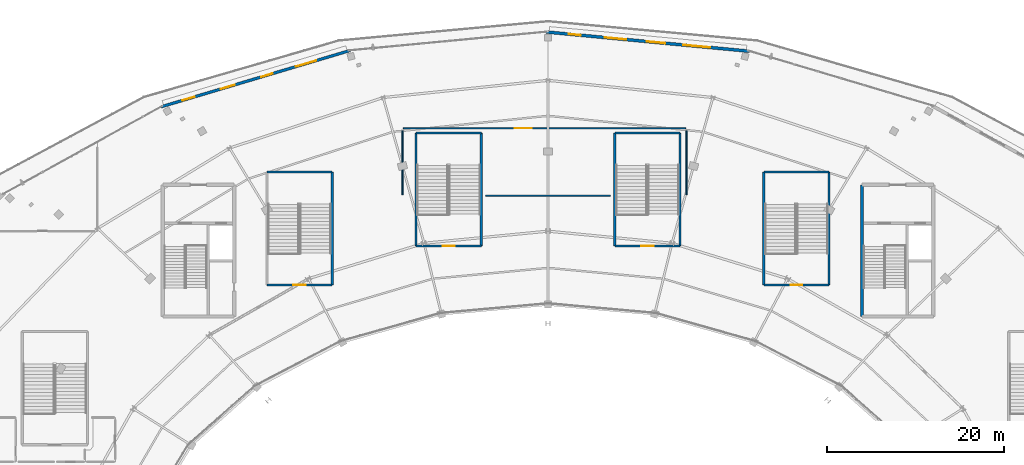
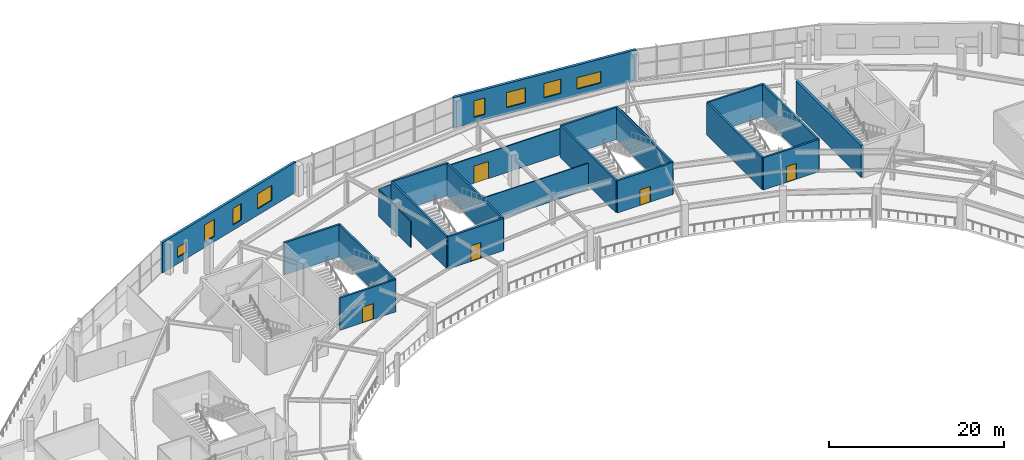
# One storey, part 79 of 107: 22 walls, 8 windows, 5 doors, 13 openings.
"""IFC4 building model written with IfcOpenShell, lengths in metres."""

from ifc_helpers import new_model, si_unit, direction, frame, frame_2d, origin, place, context, subcontext, project, spatial, rectangle, extrude, material, layer, layer_set, type_object, element, fill, save


model = new_model("IFC4")

# Units and contexts
model_context = context("Model", 3, precision=1e-05, world=origin(), true_north=direction((0.0, 1.0)))
body_context = subcontext(model_context, "Body", "Model", "MODEL_VIEW")
ifc_project = project(units=[si_unit("LENGTHUNIT", "METRE"), si_unit("AREAUNIT", "SQUARE_METRE"), si_unit("VOLUMEUNIT", "CUBIC_METRE"), si_unit("PLANEANGLEUNIT", "RADIAN"), si_unit("MASSUNIT", "GRAM", prefix="KILO")], contexts=[model_context])

# Site, building, storey
site_placement = place(None, origin())
site = spatial("IfcSite", under=ifc_project, at=site_placement, CompositionType="ELEMENT")
building_placement = place(site_placement, origin())
building = spatial("IfcBuilding", under=site, at=building_placement, Name="Kalgoora Escarpment Arena", CompositionType="ELEMENT")
storey_placement = place(building_placement, frame((0.0, 0.0, 5.39990234375)))
storey = spatial("IfcBuildingStorey", under=building, at=storey_placement, Name="L01", CompositionType="ELEMENT", Elevation=5.39990234375)

# Wall
ifc_material_1 = material(Name="Concrete N50 (fc' 50 MPa)", Category="concrete")
ifc_layer_1 = layer(ifc_material_1, 0.35009765625)
ifc_layer_set_1 = layer_set([ifc_layer_1], Name="WAL-CORE-350")
wall_type_1 = type_object("IfcWallType", Name="WAL-CORE-350", PredefinedType="SHEAR", material=ifc_layer_set_1)
wall_1_placement = place(storey_placement, frame((127.77490234375, 94.375, 0.0), z_axis=(0.0, 0.0, 1.0), x_axis=(0.0, 1.0, 0.0)))
element("IfcWall", 1, at=wall_1_placement, inside=storey, type_object=wall_type_1, Name="Core C4 L01 west shear wall", PredefinedType="SHEAR", context=body_context, shape_type="SweptSolid", body=[
    extrude(rectangle(XDim=14.85009765625, YDim=0.35009765625, at=frame_2d((7.425048828125, 0.0))), origin(), (0.0, 0.0, 1.0), 4.5),
])

# Wall, opening, door
ifc_material_2 = material(Name="Hospitality acoustic drywall partition", Category="gypsum")
ifc_layer_2 = layer(ifc_material_2, 0.135009765625)
ifc_layer_set_2 = layer_set([ifc_layer_2], Name="WAL-DIN-135")
wall_type_2 = type_object("IfcWallType", Name="WAL-DIN-135", PredefinedType="PARTITIONING", material=ifc_layer_set_2)
wall_2_placement = place(storey_placement, frame((76.080078125, 115.60009765625, 0.0), z_axis=(0.0, 0.0, 1.0), x_axis=(1.0, 0.0, 0.0)))
wall_2 = element("IfcWall", 2, at=wall_2_placement, inside=storey, type_object=wall_type_2, Name="L01 North Concession Kitchen partition wall", PredefinedType="PARTITIONING", context=body_context, shape_type="SweptSolid", body=[
    extrude(rectangle(XDim=31.83984375, YDim=0.135009765625, at=frame_2d((15.919921875, 0.0))), origin(), (0.0, 0.0, 1.0), 3.662109375),
])
opening_1_placement = place(wall_2_placement, frame((12.5537109375, 0.0, 0.0)))
opening_1 = element("IfcOpeningElement", 3, at=opening_1_placement, cuts=wall_2, Name="Opening FD-I067", PredefinedType="OPENING", context=body_context, shape_type="SweptSolid", body=[
    extrude(rectangle(XDim=1.949951171875, YDim=2.39990234375, at=frame_2d((0.97509765625, 1.199951171875))), frame((0.0, 0.077392578125, 0.0), z_axis=(0.0, -1.0, 0.0), x_axis=(1.0, 0.0, 0.0)), (0.0, 0.0, 1.0), 0.155029296875),
])
ifc_material_3 = material(Name="Glazed champagne-framed hospitality double door")
door_type_1 = type_object("IfcDoorType", Name="DR-CLUB-1950", OperationType="NOTDEFINED", PredefinedType="DOOR", material=ifc_material_3)
door_1_placement = place(opening_1_placement, origin())
door_1 = element("IfcDoor", 4, at=door_1_placement, inside=storey, type_object=door_type_1, Name="North Concession Kitchen entrance door", OperationType="DOUBLE_DOOR_SINGLE_SWING", OverallHeight=2.39990234375, OverallWidth=1.949951171875, PredefinedType="DOOR", context=body_context, shape_type="SweptSolid", body=[
    extrude(rectangle(XDim=1.949951171875, YDim=2.39990234375, at=frame_2d((0.97509765625, 1.199951171875))), frame((0.0, 0.02490234375, 0.0), z_axis=(0.0, -1.0, 0.0), x_axis=(1.0, 0.0, 0.0)), (0.0, 0.0, 1.0), 0.050048828125),
])
fill(opening_1, door_1)

# Walls
wall_3_placement = place(storey_placement, frame((108.0, 115.315185546875, 0.0), z_axis=(0.0, 0.0, 1.0), x_axis=(0.0, -1.0, 0.0)))
element("IfcWall", 5, at=wall_3_placement, inside=storey, type_object=wall_type_2, Name="L01 North Concession Kitchen partition wall", PredefinedType="PARTITIONING", context=body_context, shape_type="SweptSolid", body=[
    extrude(rectangle(XDim=7.235107421875, YDim=0.135009765625, at=frame_2d((3.61767578125, 0.0))), origin(), (0.0, 0.0, 1.0), 3.662109375),
])
wall_4_placement = place(storey_placement, frame((99.425048828125, 108.0, 0.0), z_axis=(0.0, 0.0, 1.0), x_axis=(-1.0, 0.0, 0.0)))
element("IfcWall", 6, at=wall_4_placement, inside=storey, type_object=wall_type_2, Name="L01 North Concession Kitchen partition wall", PredefinedType="PARTITIONING", context=body_context, shape_type="SweptSolid", body=[
    extrude(rectangle(XDim=14.050048828125, YDim=0.135009765625, at=frame_2d((7.02490234375, 0.0))), origin(), (0.0, 0.0, 1.0), 3.662109375),
])
wall_5_placement = place(storey_placement, frame((76.0, 108.080078125, 0.0), z_axis=(0.0, 0.0, 1.0), x_axis=(0.0, 1.0, 0.0)))
element("IfcWall", 7, at=wall_5_placement, inside=storey, type_object=wall_type_2, Name="L01 North Concession Kitchen partition wall", PredefinedType="PARTITIONING", context=body_context, shape_type="SweptSolid", body=[
    extrude(rectangle(XDim=7.235107421875, YDim=0.135009765625, at=frame_2d((3.61767578125, 0.0))), origin(), (0.0, 0.0, 1.0), 3.672119140625),
])

# Wall, openings, windows
ifc_material_4 = material(Name="Insulated limestone cladding precast wall 40 MPa", Category="masonry")
ifc_layer_3 = layer(ifc_material_4, 0.31494140625)
ifc_layer_set_3 = layer_set([ifc_layer_3], Name="WAL-EXT-315")
wall_type_3 = type_object("IfcWallType", Name="WAL-EXT-315", PredefinedType="SOLIDWALL", material=ifc_layer_set_3)
wall_6_placement = place(storey_placement, frame((48.77001953125, 118.010009765625, 0.0), z_axis=(0.0, 0.0, 1.0), x_axis=(0.958340022304, 0.285629833265, 0.0)))
wall_6 = element("IfcWall", 8, at=wall_6_placement, inside=storey, type_object=wall_type_3, Name="L01 limestone-faced external wall 035", PredefinedType="SOLIDWALL", context=body_context, shape_type="SweptSolid", body=[
    extrude(rectangle(XDim=22.260009765625, YDim=0.31494140625, at=frame_2d((11.1298828125, 0.0))), origin(), (0.0, 0.0, 1.0), 4.25),
])
opening_2_placement = place(wall_6_placement, frame((2.52490234375, 0.0, 0.89990234375)))
opening_2 = element("IfcOpeningElement", 9, at=opening_2_placement, cuts=wall_6, Name="Opening W-20", PredefinedType="OPENING", context=body_context, shape_type="SweptSolid", body=[
    extrude(rectangle(XDim=1.449951171875, YDim=1.39990234375, at=frame_2d((0.72509765625, 0.699951171875))), frame((0.0, 0.16748046875, 0.0), z_axis=(0.0, -1.0, 0.0), x_axis=(1.0, 0.0, 0.0)), (0.0, 0.0, 1.0), 0.3349609375),
])
opening_3_placement = place(wall_6_placement, frame((7.02490234375, 0.0, 0.75)))
opening_3 = element("IfcOpeningElement", 10, at=opening_3_placement, cuts=wall_6, Name="Opening W-02", PredefinedType="OPENING", context=body_context, shape_type="SweptSolid", body=[
    extrude(rectangle(XDim=1.64990234375, YDim=2.39990234375, at=frame_2d((0.824951171875, 1.199951171875))), frame((0.0, 0.16748046875, 0.0), z_axis=(0.0, -1.0, 0.0), x_axis=(1.0, 0.0, 0.0)), (0.0, 0.0, 1.0), 0.3349609375),
])
opening_4_placement = place(wall_6_placement, frame((11.77490234375, 0.0, 0.75)))
opening_4 = element("IfcOpeningElement", 11, at=opening_4_placement, cuts=wall_6, Name="Opening W-04", PredefinedType="OPENING", context=body_context, shape_type="SweptSolid", body=[
    extrude(rectangle(XDim=1.35009765625, YDim=2.300048828125, at=frame_2d((0.675048828125, 1.14990234375))), frame((0.0, 0.16748046875, 0.0), z_axis=(0.0, -1.0, 0.0), x_axis=(1.0, 0.0, 0.0)), (0.0, 0.0, 1.0), 0.3349609375),
])
opening_5_placement = place(wall_6_placement, frame((15.85009765625, 0.0, 0.89990234375)))
opening_5 = element("IfcOpeningElement", 12, at=opening_5_placement, cuts=wall_6, Name="Opening W-06", PredefinedType="OPENING", context=body_context, shape_type="SweptSolid", body=[
    extrude(rectangle(XDim=2.39990234375, YDim=2.10009765625, at=frame_2d((1.199951171875, 1.050048828125))), frame((0.0, 0.16748046875, 0.0), z_axis=(0.0, -1.0, 0.0), x_axis=(1.0, 0.0, 0.0)), (0.0, 0.0, 1.0), 0.3349609375),
])
ifc_material_5 = material(Name="Low-E solar-control double glazing in champagne frame", Category="glass")
window_type_1 = type_object("IfcWindowType", Name="WIN-BOH-1450x1400", PartitioningType="SINGLE_PANEL", PredefinedType="WINDOW", material=ifc_material_5)
window_1_placement = place(opening_2_placement, origin())
window_1 = element("IfcWindow", 13, at=window_1_placement, inside=storey, type_object=window_type_1, Name="L01 scheduled facade window 020", OverallHeight=1.39990234375, OverallWidth=1.449951171875, PartitioningType="SINGLE_PANEL", PredefinedType="WINDOW", context=body_context, shape_type="SweptSolid", body=[
    extrude(rectangle(XDim=1.449951171875, YDim=1.39990234375, at=frame_2d((0.72509765625, 0.699951171875))), frame((0.0, 0.030029296875, 0.0), z_axis=(0.0, -1.0, 0.0), x_axis=(1.0, 0.0, 0.0)), (0.0, 0.0, 1.0), 0.06005859375),
])
fill(opening_2, window_1)
ifc_material_6 = material(Name="Low-E solar-control double glazing in champagne frame", Category="glass")
window_type_2 = type_object("IfcWindowType", Name="WIN-DECO-1350x2300", PartitioningType="SINGLE_PANEL", PredefinedType="WINDOW", material=ifc_material_6)
window_2_placement = place(opening_4_placement, origin())
window_2 = element("IfcWindow", 14, at=window_2_placement, inside=storey, type_object=window_type_2, Name="L01 scheduled facade window 022", OverallHeight=2.300048828125, OverallWidth=1.35009765625, PartitioningType="SINGLE_PANEL", PredefinedType="WINDOW", context=body_context, shape_type="SweptSolid", body=[
    extrude(rectangle(XDim=1.35009765625, YDim=2.300048828125, at=frame_2d((0.675048828125, 1.14990234375))), frame((0.0, 0.030029296875, 0.0), z_axis=(0.0, -1.0, 0.0), x_axis=(1.0, 0.0, 0.0)), (0.0, 0.0, 1.0), 0.06005859375),
])
fill(opening_4, window_2)
ifc_material_7 = material(Name="Low-E solar-control double glazing in champagne frame", Category="glass")
window_type_3 = type_object("IfcWindowType", Name="WIN-DECO-1650x2400", PartitioningType="SINGLE_PANEL", PredefinedType="WINDOW", material=ifc_material_7)
window_3_placement = place(opening_3_placement, origin())
window_3 = element("IfcWindow", 15, at=window_3_placement, inside=storey, type_object=window_type_3, Name="L01 scheduled facade window 021", OverallHeight=2.39990234375, OverallWidth=1.64990234375, PartitioningType="SINGLE_PANEL", PredefinedType="WINDOW", context=body_context, shape_type="SweptSolid", body=[
    extrude(rectangle(XDim=1.64990234375, YDim=2.39990234375, at=frame_2d((0.824951171875, 1.199951171875))), frame((0.0, 0.030029296875, 0.0), z_axis=(0.0, -1.0, 0.0), x_axis=(1.0, 0.0, 0.0)), (0.0, 0.0, 1.0), 0.06005859375),
])
fill(opening_3, window_3)
ifc_material_8 = material(Name="Low-E solar-control double glazing in champagne frame", Category="glass")
window_type_4 = type_object("IfcWindowType", Name="WIN-DECO-2400x2100", PartitioningType="SINGLE_PANEL", PredefinedType="WINDOW", material=ifc_material_8)
window_4_placement = place(opening_5_placement, origin())
window_4 = element("IfcWindow", 16, at=window_4_placement, inside=storey, type_object=window_type_4, Name="L01 scheduled facade window 023", OverallHeight=2.10009765625, OverallWidth=2.39990234375, PartitioningType="SINGLE_PANEL", PredefinedType="WINDOW", context=body_context, shape_type="SweptSolid", body=[
    extrude(rectangle(XDim=2.39990234375, YDim=2.10009765625, at=frame_2d((1.199951171875, 1.050048828125))), frame((0.0, 0.030029296875, 0.0), z_axis=(0.0, -1.0, 0.0), x_axis=(1.0, 0.0, 0.0)), (0.0, 0.0, 1.0), 0.06005859375),
])
fill(opening_5, window_4)

ifc_material_9 = material(Name="Fluted Art Deco precast concrete 40 MPa", Category="concrete")
ifc_layer_4 = layer(ifc_material_9, 0.340087890625)
ifc_layer_set_4 = layer_set([ifc_layer_4], Name="WAL-EXT-340")
wall_type_4 = type_object("IfcWallType", Name="WAL-EXT-340", PredefinedType="SOLIDWALL", material=ifc_layer_set_4)
wall_7_placement = place(storey_placement, frame((92.1875, 126.449462890625, 0.0), z_axis=(0.0, 0.0, 1.0), x_axis=(0.995543549064, -0.094302926339, 0.0)))
wall_7 = element("IfcWall", 17, at=wall_7_placement, inside=storey, type_object=wall_type_4, Name="L01 limestone-faced external wall 036", PredefinedType="SOLIDWALL", context=body_context, shape_type="SweptSolid", body=[
    extrude(rectangle(XDim=23.0126953125, YDim=0.340087890625, at=frame_2d((11.50634765625, 0.0))), origin(), (0.0, 0.0, 1.0), 4.25),
])
opening_6_placement = place(wall_7_placement, frame((2.574951171875, 0.0, 0.75)))
opening_6 = element("IfcOpeningElement", 18, at=opening_6_placement, cuts=wall_7, Name="Opening W-04", PredefinedType="OPENING", context=body_context, shape_type="SweptSolid", body=[
    extrude(rectangle(XDim=1.35009765625, YDim=2.300048828125, at=frame_2d((0.675048828125, 1.14990234375))), frame((0.0, 0.179931640625, 0.0), z_axis=(0.0, -1.0, 0.0), x_axis=(1.0, 0.0, 0.0)), (0.0, 0.0, 1.0), 0.360107421875),
])
opening_7_placement = place(wall_7_placement, frame((6.64990234375, 0.0, 0.89990234375)))
opening_7 = element("IfcOpeningElement", 19, at=opening_7_placement, cuts=wall_7, Name="Opening W-06", PredefinedType="OPENING", context=body_context, shape_type="SweptSolid", body=[
    extrude(rectangle(XDim=2.39990234375, YDim=2.10009765625, at=frame_2d((1.199951171875, 1.050048828125))), frame((0.0, 0.179931640625, 0.0), z_axis=(0.0, -1.0, 0.0), x_axis=(1.0, 0.0, 0.0)), (0.0, 0.0, 1.0), 0.360107421875),
])
opening_8_placement = place(wall_7_placement, frame((11.39990234375, 0.0, 0.89990234375)))
opening_8 = element("IfcOpeningElement", 20, at=opening_8_placement, cuts=wall_7, Name="Opening W-08", PredefinedType="OPENING", context=body_context, shape_type="SweptSolid", body=[
    extrude(rectangle(XDim=2.10009765625, YDim=2.0, at=frame_2d((1.050048828125, 1.0))), frame((0.0, 0.179931640625, 0.0), z_axis=(0.0, -1.0, 0.0), x_axis=(1.0, 0.0, 0.0)), (0.0, 0.0, 1.0), 0.360107421875),
])
opening_9_placement = place(wall_7_placement, frame((15.550048828125, 0.0, 0.89990234375)))
opening_9 = element("IfcOpeningElement", 21, at=opening_9_placement, cuts=wall_7, Name="Opening W-10", PredefinedType="OPENING", context=body_context, shape_type="SweptSolid", body=[
    extrude(rectangle(XDim=3.0, YDim=1.60009765625, at=frame_2d((1.5, 0.800048828125))), frame((0.0, 0.179931640625, 0.0), z_axis=(0.0, -1.0, 0.0), x_axis=(1.0, 0.0, 0.0)), (0.0, 0.0, 1.0), 0.360107421875),
])
ifc_material_10 = material(Name="Low-E solar-control double glazing in champagne frame", Category="glass")
window_type_5 = type_object("IfcWindowType", Name="WIN-BAND-3000x1600", PartitioningType="SINGLE_PANEL", PredefinedType="WINDOW", material=ifc_material_10)
window_5_placement = place(opening_9_placement, origin())
window_5 = element("IfcWindow", 22, at=window_5_placement, inside=storey, type_object=window_type_5, Name="L01 scheduled facade window 027", OverallHeight=1.60009765625, OverallWidth=3.0, PartitioningType="SINGLE_PANEL", PredefinedType="WINDOW", context=body_context, shape_type="SweptSolid", body=[
    extrude(rectangle(XDim=3.0, YDim=1.60009765625, at=frame_2d((1.5, 0.800048828125))), frame((0.0, 0.030029296875, 0.0), z_axis=(0.0, -1.0, 0.0), x_axis=(1.0, 0.0, 0.0)), (0.0, 0.0, 1.0), 0.06005859375),
])
fill(opening_9, window_5)
window_6_placement = place(opening_6_placement, origin())
window_6 = element("IfcWindow", 23, at=window_6_placement, inside=storey, type_object=window_type_2, Name="L01 scheduled facade window 024", OverallHeight=2.300048828125, OverallWidth=1.35009765625, PartitioningType="SINGLE_PANEL", PredefinedType="WINDOW", context=body_context, shape_type="SweptSolid", body=[
    extrude(rectangle(XDim=1.35009765625, YDim=2.300048828125, at=frame_2d((0.675048828125, 1.14990234375))), frame((0.0, 0.030029296875, 0.0), z_axis=(0.0, -1.0, 0.0), x_axis=(1.0, 0.0, 0.0)), (0.0, 0.0, 1.0), 0.06005859375),
])
fill(opening_6, window_6)
ifc_material_11 = material(Name="Low-E solar-control double glazing in champagne frame", Category="glass")
window_type_6 = type_object("IfcWindowType", Name="WIN-DECO-2100x2000", PartitioningType="SINGLE_PANEL", PredefinedType="WINDOW", material=ifc_material_11)
window_7_placement = place(opening_8_placement, origin())
window_7 = element("IfcWindow", 24, at=window_7_placement, inside=storey, type_object=window_type_6, Name="L01 scheduled facade window 026", OverallHeight=2.0, OverallWidth=2.10009765625, PartitioningType="SINGLE_PANEL", PredefinedType="WINDOW", context=body_context, shape_type="SweptSolid", body=[
    extrude(rectangle(XDim=2.10009765625, YDim=2.0, at=frame_2d((1.050048828125, 1.0))), frame((0.0, 0.030029296875, 0.0), z_axis=(0.0, -1.0, 0.0), x_axis=(1.0, 0.0, 0.0)), (0.0, 0.0, 1.0), 0.06005859375),
])
fill(opening_8, window_7)
window_8_placement = place(opening_7_placement, origin())
window_8 = element("IfcWindow", 25, at=window_8_placement, inside=storey, type_object=window_type_4, Name="L01 scheduled facade window 025", OverallHeight=2.10009765625, OverallWidth=2.39990234375, PartitioningType="SINGLE_PANEL", PredefinedType="WINDOW", context=body_context, shape_type="SweptSolid", body=[
    extrude(rectangle(XDim=2.39990234375, YDim=2.10009765625, at=frame_2d((1.199951171875, 1.050048828125))), frame((0.0, 0.030029296875, 0.0), z_axis=(0.0, -1.0, 0.0), x_axis=(1.0, 0.0, 0.0)), (0.0, 0.0, 1.0), 0.06005859375),
])
fill(opening_7, window_8)

# Wall, opening, door
ifc_material_12 = material(Name="Concrete N50 (fc' 50 MPa)", Category="concrete")
ifc_layer_5 = layer(ifc_material_12, 0.25)
ifc_layer_set_5 = layer_set([ifc_layer_5], Name="WAL-STAIR-250")
wall_type_5 = type_object("IfcWallType", Name="WAL-STAIR-250", PredefinedType="SHEAR", material=ifc_layer_set_5)
wall_8_placement = place(storey_placement, frame((60.72509765625, 97.925048828125, 0.0), z_axis=(0.0, 0.0, 1.0), x_axis=(1.0, 0.0, 0.0)))
wall_8 = element("IfcWall", 26, at=wall_8_placement, inside=storey, type_object=wall_type_5, Name="Exit stair ST09 L01 south wall", PredefinedType="SHEAR", context=body_context, shape_type="SweptSolid", body=[
    extrude(rectangle(XDim=7.349853515625, YDim=0.25, at=frame_2d((3.6748046875, 0.0))), origin(), (0.0, 0.0, 1.0), 4.5),
])
opening_10_placement = place(wall_8_placement, frame((2.97509765625, 0.0, 0.0)))
opening_10 = element("IfcOpeningElement", 27, at=opening_10_placement, cuts=wall_8, Name="Opening FD-ST09", PredefinedType="OPENING", context=body_context, shape_type="SweptSolid", body=[
    extrude(rectangle(XDim=1.39990234375, YDim=2.199951171875, at=frame_2d((0.699951171875, 1.10009765625))), frame((0.0, 0.135009765625, 0.0), z_axis=(0.0, -1.0, 0.0), x_axis=(1.0, 0.0, 0.0)), (0.0, 0.0, 1.0), 0.27001953125),
])
ifc_material_13 = material(Name="Fire-rated steel stair leaf with vision panel", Category="steel")
door_type_2 = type_object("IfcDoorType", Name="DR-STAIR-1400", OperationType="NOTDEFINED", PredefinedType="DOOR", material=ifc_material_13)
door_2_placement = place(opening_10_placement, origin())
door_2 = element("IfcDoor", 28, at=door_2_placement, inside=storey, type_object=door_type_2, Name="Fire-isolated stair ST09 L01 egress door", OperationType="SINGLE_SWING_LEFT", OverallHeight=2.199951171875, OverallWidth=1.39990234375, PredefinedType="DOOR", context=body_context, shape_type="SweptSolid", body=[
    extrude(rectangle(XDim=1.39990234375, YDim=2.199951171875, at=frame_2d((0.699951171875, 1.10009765625))), frame((0.0, 0.02490234375, 0.0), z_axis=(0.0, -1.0, 0.0), x_axis=(1.0, 0.0, 0.0)), (0.0, 0.0, 1.0), 0.050048828125),
])
fill(opening_10, door_2)

# Walls
wall_9_placement = place(storey_placement, frame((60.72509765625, 110.675048828125, 0.0), z_axis=(0.0, 0.0, 1.0), x_axis=(1.0, 0.0, 0.0)))
element("IfcWall", 29, at=wall_9_placement, inside=storey, type_object=wall_type_5, Name="Exit stair ST09 L01 north wall", PredefinedType="SHEAR", context=body_context, shape_type="SweptSolid", body=[
    extrude(rectangle(XDim=7.349853515625, YDim=0.25, at=frame_2d((3.6748046875, 0.0))), origin(), (0.0, 0.0, 1.0), 4.5),
])
wall_10_placement = place(storey_placement, frame((68.074951171875, 97.925048828125, 0.0), z_axis=(0.0, 0.0, 1.0), x_axis=(0.0, 1.0, 0.0)))
element("IfcWall", 30, at=wall_10_placement, inside=storey, type_object=wall_type_5, Name="Exit stair ST09 L01 east wall", PredefinedType="SHEAR", context=body_context, shape_type="SweptSolid", body=[
    extrude(rectangle(XDim=12.75, YDim=0.25, at=frame_2d((6.375, 0.0))), origin(), (0.0, 0.0, 1.0), 4.5),
])

# Wall, opening, door
wall_11_placement = place(storey_placement, frame((77.52490234375, 102.324951171875, 0.0), z_axis=(0.0, 0.0, 1.0), x_axis=(1.0, 0.0, 0.0)))
wall_11 = element("IfcWall", 31, at=wall_11_placement, inside=storey, type_object=wall_type_5, Name="Exit stair ST10 L01 south wall", PredefinedType="SHEAR", context=body_context, shape_type="SweptSolid", body=[
    extrude(rectangle(XDim=7.35009765625, YDim=0.25, at=frame_2d((3.675048828125, 0.0))), origin(), (0.0, 0.0, 1.0), 4.5),
])
opening_11_placement = place(wall_11_placement, frame((3.014892578125, 0.0, 0.0)))
opening_11 = element("IfcOpeningElement", 32, at=opening_11_placement, cuts=wall_11, Name="Opening FD-ST10", PredefinedType="OPENING", context=body_context, shape_type="SweptSolid", body=[
    extrude(rectangle(XDim=1.320068359375, YDim=2.199951171875, at=frame_2d((0.66015625, 1.10009765625))), frame((0.0, 0.135009765625, 0.0), z_axis=(0.0, -1.0, 0.0), x_axis=(1.0, 0.0, 0.0)), (0.0, 0.0, 1.0), 0.27001953125),
])
ifc_material_14 = material(Name="Fire-rated steel stair leaf with vision panel", Category="steel")
door_type_3 = type_object("IfcDoorType", Name="DR-STAIR-1320", OperationType="NOTDEFINED", PredefinedType="DOOR", material=ifc_material_14)
door_3_placement = place(opening_11_placement, origin())
door_3 = element("IfcDoor", 33, at=door_3_placement, inside=storey, type_object=door_type_3, Name="Fire-isolated stair ST10 L01 egress door", OperationType="SINGLE_SWING_LEFT", OverallHeight=2.199951171875, OverallWidth=1.320068359375, PredefinedType="DOOR", context=body_context, shape_type="SweptSolid", body=[
    extrude(rectangle(XDim=1.320068359375, YDim=2.199951171875, at=frame_2d((0.66015625, 1.10009765625))), frame((0.0, 0.02490234375, 0.0), z_axis=(0.0, -1.0, 0.0), x_axis=(1.0, 0.0, 0.0)), (0.0, 0.0, 1.0), 0.050048828125),
])
fill(opening_11, door_3)

# Walls
wall_12_placement = place(storey_placement, frame((77.52490234375, 115.074951171875, 0.0), z_axis=(0.0, 0.0, 1.0), x_axis=(1.0, 0.0, 0.0)))
element("IfcWall", 34, at=wall_12_placement, inside=storey, type_object=wall_type_5, Name="Exit stair ST10 L01 north wall", PredefinedType="SHEAR", context=body_context, shape_type="SweptSolid", body=[
    extrude(rectangle(XDim=7.35009765625, YDim=0.25, at=frame_2d((3.675048828125, 0.0))), origin(), (0.0, 0.0, 1.0), 4.5),
])
for number, where, z_axis, x_axis, name in (
    (35, (77.52490234375, 102.324951171875, 0.0), (0.0, 0.0, 1.0), (0.0, 1.0, 0.0), "Exit stair ST10 L01 west wall"),
    (36, (84.875, 102.324951171875, 0.0), (0.0, 0.0, 1.0), (0.0, 1.0, 0.0), "Exit stair ST10 L01 east wall"),
):
    element("IfcWall", number, at=place(storey_placement, frame(where, z_axis=z_axis, x_axis=x_axis)), inside=storey, type_object=wall_type_5, Name=name, PredefinedType="SHEAR", context=body_context, shape_type="SweptSolid", body=[
        extrude(rectangle(XDim=12.75, YDim=0.25, at=frame_2d((6.375, 0.0))), origin(), (0.0, 0.0, 1.0), 4.5),
    ])

# Wall, opening, door
wall_13_placement = place(storey_placement, frame((99.925048828125, 102.324951171875, 0.0), z_axis=(0.0, 0.0, 1.0), x_axis=(1.0, 0.0, 0.0)))
wall_13 = element("IfcWall", 37, at=wall_13_placement, inside=storey, type_object=wall_type_5, Name="Exit stair ST11 L01 south wall", PredefinedType="SHEAR", context=body_context, shape_type="SweptSolid", body=[
    extrude(rectangle(XDim=7.349853515625, YDim=0.25, at=frame_2d((3.6748046875, 0.0))), origin(), (0.0, 0.0, 1.0), 4.5),
])
opening_12_placement = place(wall_13_placement, frame((2.97509765625, 0.0, 0.0)))
opening_12 = element("IfcOpeningElement", 38, at=opening_12_placement, cuts=wall_13, Name="Opening FD-ST11", PredefinedType="OPENING", context=body_context, shape_type="SweptSolid", body=[
    extrude(rectangle(XDim=1.39990234375, YDim=2.199951171875, at=frame_2d((0.699951171875, 1.10009765625))), frame((0.0, 0.135009765625, 0.0), z_axis=(0.0, -1.0, 0.0), x_axis=(1.0, 0.0, 0.0)), (0.0, 0.0, 1.0), 0.27001953125),
])
door_4_placement = place(opening_12_placement, origin())
door_4 = element("IfcDoor", 39, at=door_4_placement, inside=storey, type_object=door_type_2, Name="Fire-isolated stair ST11 L01 egress door", OperationType="SINGLE_SWING_RIGHT", OverallHeight=2.199951171875, OverallWidth=1.39990234375, PredefinedType="DOOR", context=body_context, shape_type="SweptSolid", body=[
    extrude(rectangle(XDim=1.39990234375, YDim=2.199951171875, at=frame_2d((0.699951171875, 1.10009765625))), frame((0.0, 0.02490234375, 0.0), z_axis=(0.0, -1.0, 0.0), x_axis=(1.0, 0.0, 0.0)), (0.0, 0.0, 1.0), 0.050048828125),
])
fill(opening_12, door_4)

# Walls
wall_14_placement = place(storey_placement, frame((99.925048828125, 115.074951171875, 0.0), z_axis=(0.0, 0.0, 1.0), x_axis=(1.0, 0.0, 0.0)))
element("IfcWall", 40, at=wall_14_placement, inside=storey, type_object=wall_type_5, Name="Exit stair ST11 L01 north wall", PredefinedType="SHEAR", context=body_context, shape_type="SweptSolid", body=[
    extrude(rectangle(XDim=7.349853515625, YDim=0.25, at=frame_2d((3.6748046875, 0.0))), origin(), (0.0, 0.0, 1.0), 4.5),
])
for number, where, z_axis, x_axis, name in (
    (41, (99.925048828125, 102.324951171875, 0.0), (0.0, 0.0, 1.0), (0.0, 1.0, 0.0), "Exit stair ST11 L01 west wall"),
    (42, (107.27490234375, 102.324951171875, 0.0), (0.0, 0.0, 1.0), (0.0, 1.0, 0.0), "Exit stair ST11 L01 east wall"),
):
    element("IfcWall", number, at=place(storey_placement, frame(where, z_axis=z_axis, x_axis=x_axis)), inside=storey, type_object=wall_type_5, Name=name, PredefinedType="SHEAR", context=body_context, shape_type="SweptSolid", body=[
        extrude(rectangle(XDim=12.75, YDim=0.25, at=frame_2d((6.375, 0.0))), origin(), (0.0, 0.0, 1.0), 4.5),
    ])

# Wall, opening, door
wall_15_placement = place(storey_placement, frame((116.72509765625, 97.925048828125, 0.0), z_axis=(0.0, 0.0, 1.0), x_axis=(1.0, 0.0, 0.0)))
wall_15 = element("IfcWall", 43, at=wall_15_placement, inside=storey, type_object=wall_type_5, Name="Exit stair ST12 L01 south wall", PredefinedType="SHEAR", context=body_context, shape_type="SweptSolid", body=[
    extrude(rectangle(XDim=7.349853515625, YDim=0.25, at=frame_2d((3.6748046875, 0.0))), origin(), (0.0, 0.0, 1.0), 4.5),
])
opening_13_placement = place(wall_15_placement, frame((3.014892578125, 0.0, 0.0)))
opening_13 = element("IfcOpeningElement", 44, at=opening_13_placement, cuts=wall_15, Name="Opening FD-ST12", PredefinedType="OPENING", context=body_context, shape_type="SweptSolid", body=[
    extrude(rectangle(XDim=1.320068359375, YDim=2.199951171875, at=frame_2d((0.66015625, 1.10009765625))), frame((0.0, 0.135009765625, 0.0), z_axis=(0.0, -1.0, 0.0), x_axis=(1.0, 0.0, 0.0)), (0.0, 0.0, 1.0), 0.27001953125),
])
door_5_placement = place(opening_13_placement, origin())
door_5 = element("IfcDoor", 45, at=door_5_placement, inside=storey, type_object=door_type_3, Name="Fire-isolated stair ST12 L01 egress door", OperationType="SINGLE_SWING_LEFT", OverallHeight=2.199951171875, OverallWidth=1.320068359375, PredefinedType="DOOR", context=body_context, shape_type="SweptSolid", body=[
    extrude(rectangle(XDim=1.320068359375, YDim=2.199951171875, at=frame_2d((0.66015625, 1.10009765625))), frame((0.0, 0.02490234375, 0.0), z_axis=(0.0, -1.0, 0.0), x_axis=(1.0, 0.0, 0.0)), (0.0, 0.0, 1.0), 0.050048828125),
])
fill(opening_13, door_5)

# Walls
wall_16_placement = place(storey_placement, frame((116.72509765625, 110.675048828125, 0.0), z_axis=(0.0, 0.0, 1.0), x_axis=(1.0, 0.0, 0.0)))
element("IfcWall", 46, at=wall_16_placement, inside=storey, type_object=wall_type_5, Name="Exit stair ST12 L01 north wall", PredefinedType="SHEAR", context=body_context, shape_type="SweptSolid", body=[
    extrude(rectangle(XDim=7.349853515625, YDim=0.25, at=frame_2d((3.6748046875, 0.0))), origin(), (0.0, 0.0, 1.0), 4.5),
])
for number, where, z_axis, x_axis, name in (
    (47, (116.72509765625, 97.925048828125, 0.0), (0.0, 0.0, 1.0), (0.0, 1.0, 0.0), "Exit stair ST12 L01 west wall"),
    (48, (124.074951171875, 97.925048828125, 0.0), (0.0, 0.0, 1.0), (0.0, 1.0, 0.0), "Exit stair ST12 L01 east wall"),
):
    element("IfcWall", number, at=place(storey_placement, frame(where, z_axis=z_axis, x_axis=x_axis)), inside=storey, type_object=wall_type_5, Name=name, PredefinedType="SHEAR", context=body_context, shape_type="SweptSolid", body=[
        extrude(rectangle(XDim=12.75, YDim=0.25, at=frame_2d((6.375, 0.0))), origin(), (0.0, 0.0, 1.0), 4.5),
    ])

save(model, "model.ifc")
